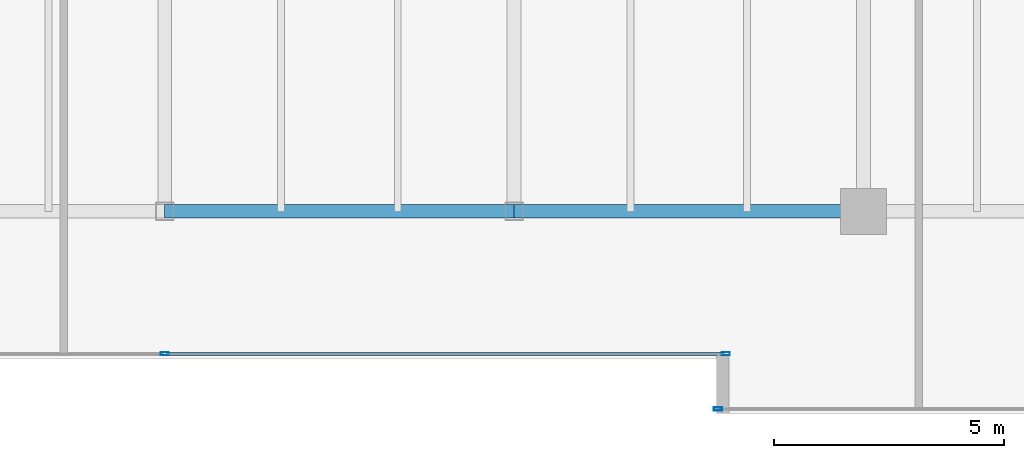
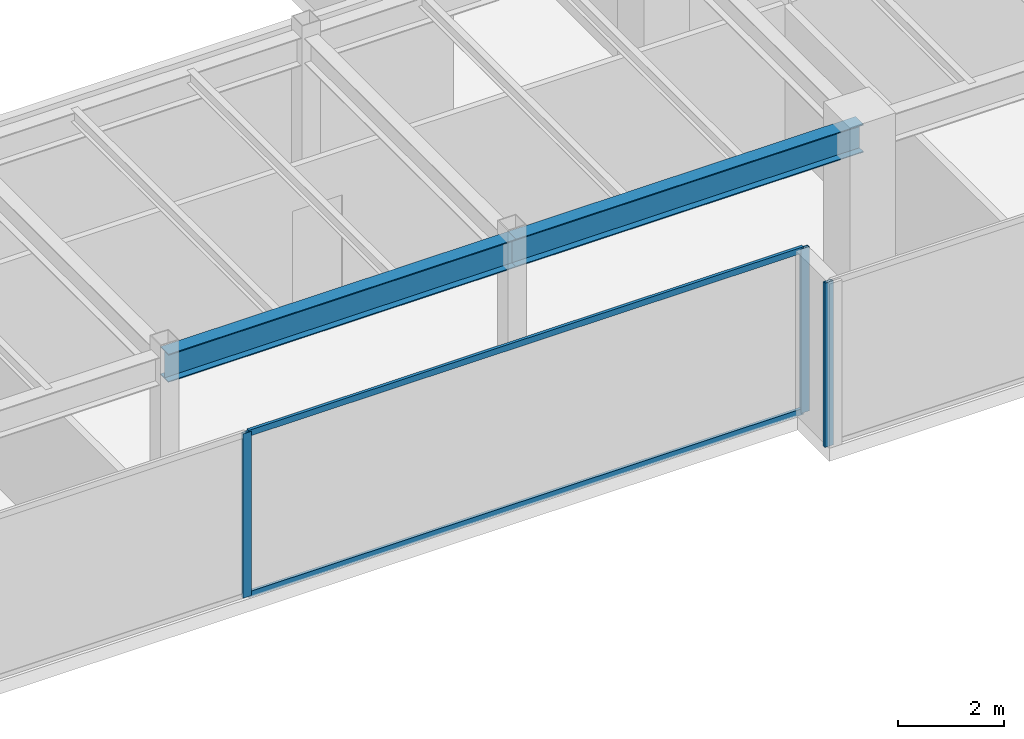
# One storey, part 11 of 33: 5 members, 2 beams, 2 elements without a shape of their own.
"""IFC4 building model written with IfcOpenShell, lengths in metres."""

from ifc_helpers import new_model, si_unit, direction, frame, origin, origin_2d, place, context, subcontext, project, spatial, hollow_rectangle, i_section, extrude, source, transform, mapped, material, layer, layer_set, material_profile, profile_set, type_object, type_shapes, element, aggregate, save


model = new_model("IFC4")

# Units and contexts
model_context = context("Model", 3, precision=1e-05, world=origin(), true_north=direction((0.0, 1.0)))
body_context = subcontext(model_context, "Body", "Model", "MODEL_VIEW")
ifc_project = project(units=[si_unit("LENGTHUNIT", "METRE"), si_unit("AREAUNIT", "SQUARE_METRE"), si_unit("VOLUMEUNIT", "CUBIC_METRE"), si_unit("PLANEANGLEUNIT", "RADIAN"), si_unit("MASSUNIT", "GRAM", prefix="KILO")], contexts=[model_context])

# Site, building, storey
site_placement = place(None, origin())
site = spatial("IfcSite", under=ifc_project, at=site_placement, CompositionType="ELEMENT")
building_placement = place(site_placement, origin())
building = spatial("IfcBuilding", under=site, at=building_placement, Name="Haelvirn Gate Laboratories", CompositionType="ELEMENT")
storey_placement = place(building_placement, frame((0.0, 0.0, 217.800048828125)))
storey = spatial("IfcBuildingStorey", under=building, at=storey_placement, Name="L52", CompositionType="ELEMENT", Elevation=217.800048828125)

# Beams
ifc_material_1 = material(Name="Steel SM355", Category="steel")
ifc_material_profile_1 = material_profile(ifc_material_1, i_section(OverallWidth=0.300048828125, OverallDepth=0.64990234375, WebThickness=0.012939453125, FlangeThickness=0.02197265625, at=origin_2d()), Name="H-650x300x13x22")
ifc_profile_set_1 = profile_set([ifc_material_profile_1], Name="Steel SM355")
beam_type = type_object("IfcBeamType", Name="BM-G-650", PredefinedType="BEAM", material=ifc_profile_set_1)
shared_shape_1 = source(origin(), body_context, "Body", "SweptSolid", [
    extrude(i_section(OverallWidth=0.300048828125, OverallDepth=0.64990234375, WebThickness=0.012939453125, FlangeThickness=0.02197265625, at=origin_2d()), origin(), (0.0, 0.0, 1.0), 7.60009765625),
])
type_shapes(beam_type, [shared_shape_1])
for number, where, z_axis, x_axis, name in (
    (1, (37.39990234375, 7.0, 3.474853515625), (1.0, 0.0, 0.0), (0.0, 1.0, 0.0), "L52 Primary Girder Y7.0 (37.4-45.0)"),
    (2, (45.0, 7.0, 3.474853515625), (1.0, 0.0, 0.0), (0.0, 1.0, 0.0), "L52 Primary Girder Y7.0 (45.0-52.6)"),
):
    element("IfcBeam", number, at=place(storey_placement, frame(where, z_axis=z_axis, x_axis=x_axis)), inside=storey, type_object=beam_type, Name=name, PredefinedType="BEAM", context=body_context, shape_type="MappedRepresentation", body=[
        mapped(shared_shape_1, transform((0.0, 0.0, 0.0), scale=1.0)),
    ])

# Curtain wall, members
ifc_material_2 = material(Name="Anodised bronze unitised aluminium & triple low-E glass", Category="aluminium")
ifc_layer = layer(ifc_material_2, 0.176025390625, Name="CW-SYS-4")
ifc_layer_set = layer_set([ifc_layer], Name="Anodised bronze unitised aluminium & triple low-E glass")
curtain_wall_type = type_object("IfcCurtainWallType", Name="CW-SYS-4", PredefinedType="NOTDEFINED", material=ifc_layer_set)
curtain_wall_1_placement = place(storey_placement, origin())
curtain_wall_1 = element("IfcCurtainWall", 3, at=curtain_wall_1_placement, inside=storey, type_object=curtain_wall_type, Name="L52 Unitised Curtain Wall CW-L52-P0-E02-1", PredefinedType="NOTDEFINED")
ifc_material_3 = material(Name="Extruded aluminium 6063-T6 (anodised bronze)", Category="aluminium")
ifc_material_profile_2 = material_profile(ifc_material_3, hollow_rectangle(XDim=0.06494140625, YDim=0.139892578125, WallThickness=0.00390625, at=origin_2d()), Name="CWT-140x65x4")
ifc_profile_set_2 = profile_set([ifc_material_profile_2], Name="Extruded aluminium 6063-T6 (anodised bronze)")
member_type_1 = type_object("IfcMemberType", Name="CWT-T140", PredefinedType="USERDEFINED", material=ifc_profile_set_2)
shared_shape_2 = source(origin(), body_context, "Body", "SweptSolid", [
    extrude(hollow_rectangle(XDim=0.06494140625, YDim=0.139892578125, WallThickness=0.00390625, at=origin_2d()), origin(), (0.0, 0.0, 1.0), 12.135009765625),
])
type_shapes(member_type_1, [shared_shape_2])
member_1_placement = place(storey_placement, frame((37.43505859375, 3.89990234375, 0.032470703125), z_axis=(1.0, 0.0, 0.0), x_axis=(0.0, 1.0, 0.0)))
member_1 = element("IfcMember", 4, at=member_1_placement, type_object=member_type_1, Name="CW4 transom 2.1", ObjectType="TRANSOM", PredefinedType="USERDEFINED", context=body_context, shape_type="MappedRepresentation", body=[
    mapped(shared_shape_2, transform((0.0, 0.0, 0.0), scale=1.0)),
])
member_2_placement = place(storey_placement, frame((37.43505859375, 3.89990234375, 3.767333984375), z_axis=(1.0, 0.0, 0.0), x_axis=(0.0, 1.0, 0.0)))
member_2 = element("IfcMember", 5, at=member_2_placement, type_object=member_type_1, Name="CW4 transom 2.2", ObjectType="TRANSOM", PredefinedType="USERDEFINED", context=body_context, shape_type="MappedRepresentation", body=[
    mapped(shared_shape_2, transform((0.0, 0.0, 0.0), scale=1.0)),
])
ifc_material_profile_3 = material_profile(ifc_material_3, hollow_rectangle(XDim=0.070068359375, YDim=0.179931640625, WallThickness=0.0048828125, at=origin_2d()), Name="CWM-180x70x5")
ifc_profile_set_3 = profile_set([ifc_material_profile_3], Name="Extruded aluminium 6063-T6 (anodised bronze)")
member_type_2 = type_object("IfcMemberType", Name="CWM-T180", PredefinedType="MULLION", material=ifc_profile_set_3)
shared_shape_3 = source(origin(), body_context, "Body", "SweptSolid", [
    extrude(hollow_rectangle(XDim=0.070068359375, YDim=0.179931640625, WallThickness=0.0048828125, at=origin_2d()), origin(), (0.0, 0.0, 1.0), 3.800048828125),
])
type_shapes(member_type_2, [shared_shape_3])
member_3_placement = place(storey_placement, frame((37.39990234375, 3.89990234375, 0.0), z_axis=(0.0, 0.0, 1.0), x_axis=(0.0, 1.0, 0.0)))
member_3 = element("IfcMember", 6, at=member_3_placement, type_object=member_type_2, Name="CW4 mullion 2", PredefinedType="MULLION", context=body_context, shape_type="MappedRepresentation", body=[
    mapped(shared_shape_3, transform((0.0, 0.0, 0.0), scale=1.0)),
])
member_4_placement = place(storey_placement, frame((49.60498046875, 3.89990234375, 0.0), z_axis=(0.0, 0.0, 1.0), x_axis=(0.0, 1.0, 0.0)))
member_4 = element("IfcMember", 7, at=member_4_placement, type_object=member_type_2, Name="CW4 mullion 3", PredefinedType="MULLION", context=body_context, shape_type="MappedRepresentation", body=[
    mapped(shared_shape_3, transform((0.0, 0.0, 0.0), scale=1.0)),
])
aggregate(curtain_wall_1, [member_3, member_4, member_1, member_2])

# Curtain wall, member
curtain_wall_2_placement = place(storey_placement, origin())
curtain_wall_2 = element("IfcCurtainWall", 8, at=curtain_wall_2_placement, inside=storey, type_object=curtain_wall_type, Name="L52 Unitised Curtain Wall CW-L52-P0-E04-1", PredefinedType="NOTDEFINED")
member_5_placement = place(storey_placement, frame((49.43505859375, 2.699951171875, 0.0), z_axis=(0.0, 0.0, 1.0), x_axis=(0.0, 1.0, 0.0)))
member_5 = element("IfcMember", 9, at=member_5_placement, type_object=member_type_2, Name="CW4 mullion 1", PredefinedType="MULLION", context=body_context, shape_type="MappedRepresentation", body=[
    mapped(shared_shape_3, transform((0.0, 0.0, 0.0), scale=1.0)),
])
aggregate(curtain_wall_2, [member_5])

save(model, "model.ifc")
